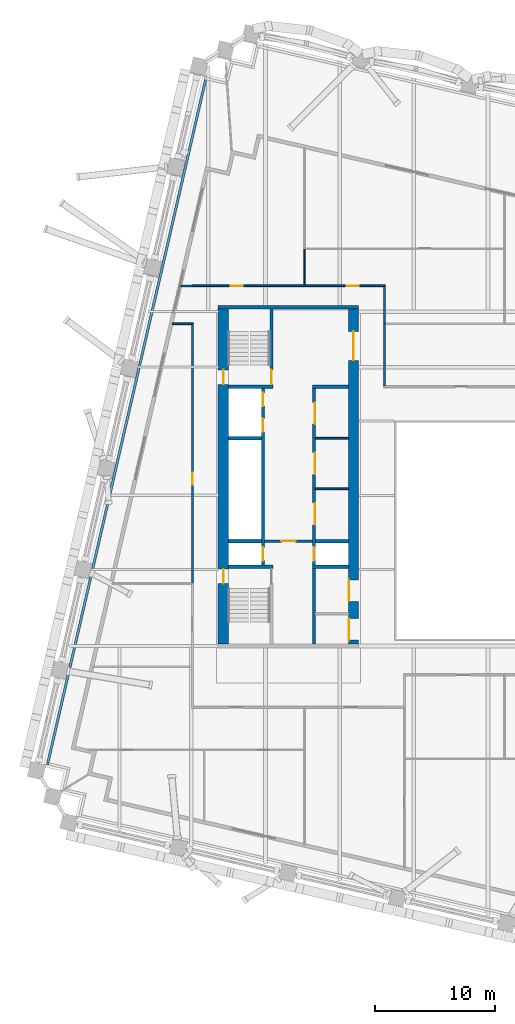
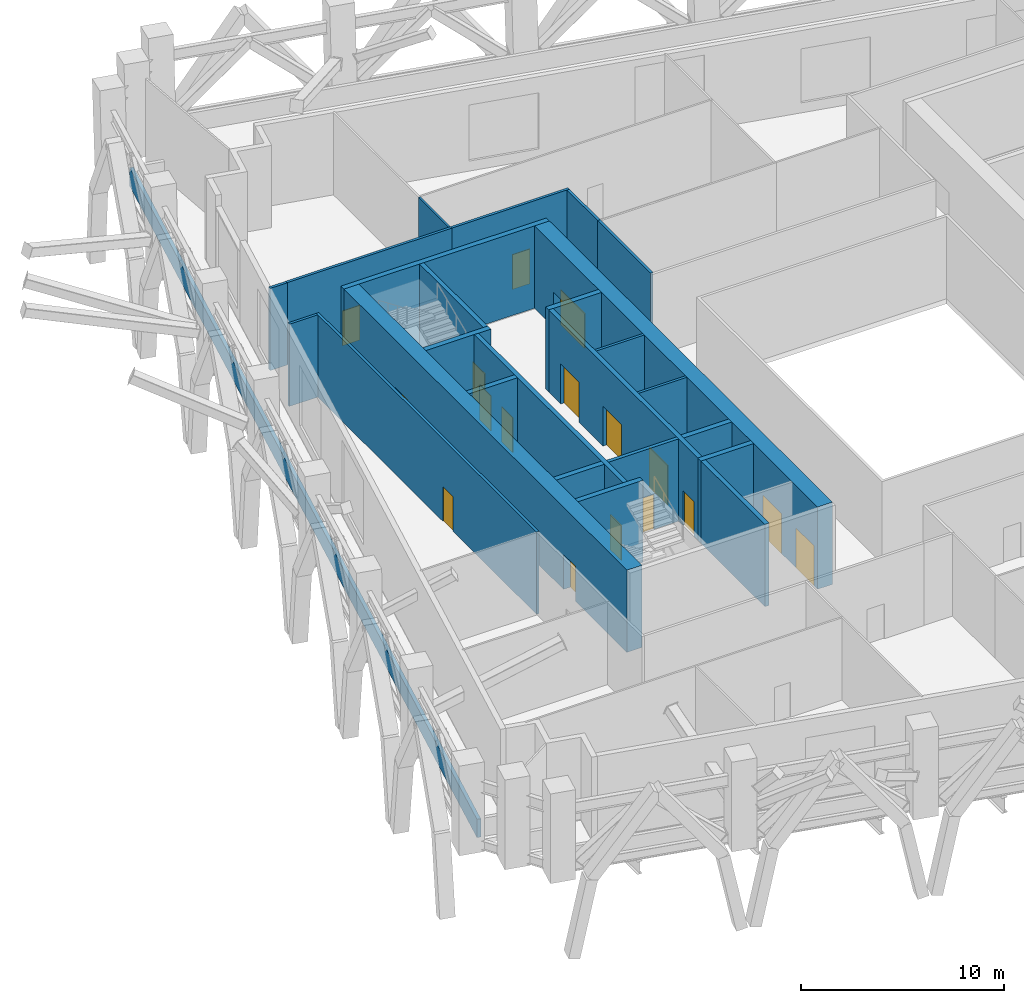
# One storey, part 8 of 20: 25 walls, 17 doors, 17 openings.
"""IFC4 building model written with IfcOpenShell, lengths in metres."""

from ifc_helpers import new_model, si_unit, direction, frame, frame_2d, origin, place, context, subcontext, project, spatial, rectangle, extrude, material, layer, layer_set, type_object, element, fill, save


model = new_model("IFC4")

# Units and contexts
model_context = context("Model", 3, precision=1e-05, world=origin(), true_north=direction((0.0, 1.0)))
body_context = subcontext(model_context, "Body", "Model", "MODEL_VIEW")
ifc_project = project(units=[si_unit("LENGTHUNIT", "METRE"), si_unit("AREAUNIT", "SQUARE_METRE"), si_unit("VOLUMEUNIT", "CUBIC_METRE"), si_unit("PLANEANGLEUNIT", "RADIAN"), si_unit("MASSUNIT", "GRAM", prefix="KILO")], contexts=[model_context])

# Site, building, storey
site_placement = place(None, origin())
site = spatial("IfcSite", under=ifc_project, at=site_placement, CompositionType="ELEMENT")
building_placement = place(site_placement, origin())
building = spatial("IfcBuilding", under=site, at=building_placement, Name="Ogive Exchange Tower", CompositionType="ELEMENT")
storey_placement = place(building_placement, frame((0.0, 0.0, 160.199951171875)))
storey = spatial("IfcBuildingStorey", under=building, at=storey_placement, Name="L35", CompositionType="ELEMENT", Elevation=160.199951171875)

# Walls
ifc_material_1 = material(Name="Gypsum board partition")
ifc_layer_1 = layer(ifc_material_1, 0.14990234375)
ifc_layer_set_1 = layer_set([ifc_layer_1], Name="Core room partition 150 gypsum")
wall_type_1 = type_object("IfcWallType", Name="Core room partition 150 gypsum", PredefinedType="PARTITIONING", material=ifc_layer_set_1)
for number, where, z_axis, x_axis, name in (
    (1, (-13.75, 10.5, 0.0), (0.0, 0.0, 1.0), (1.0, 0.0, 0.0), "W row B bay partition 1-1"),
    (2, (-13.75, 14.699951171875, 0.0), (0.0, 0.0, 1.0), (1.0, 0.0, 0.0), "W row B bay partition 1-2"),
):
    element("IfcWall", number, at=place(storey_placement, frame(where, z_axis=z_axis, x_axis=x_axis)), inside=storey, type_object=wall_type_1, Name=name, PredefinedType="PARTITIONING", context=body_context, shape_type="SweptSolid", body=[
        extrude(rectangle(XDim=2.75, YDim=0.14990234375, at=frame_2d((1.375, 0.0))), origin(), (0.0, 0.0, 1.0), 4.949951171875),
    ])
ifc_layer_2 = layer(ifc_material_1, 0.300048828125)
ifc_layer_set_2 = layer_set([ifc_layer_2], Name="Core room partition 300 gypsum")
wall_type_2 = type_object("IfcWallType", Name="Core room partition 300 gypsum", PredefinedType="PARTITIONING", material=ifc_layer_set_2)
wall_1_placement = place(storey_placement, frame((-14.0, 19.0, 0.0), z_axis=(0.0, 0.0, 1.0), x_axis=(1.0, 0.0, 0.0)))
element("IfcWall", 3, at=wall_1_placement, inside=storey, type_object=wall_type_2, Name="W row B room end wall 7", PredefinedType="PARTITIONING", context=body_context, shape_type="SweptSolid", body=[
    extrude(rectangle(XDim=3.0, YDim=0.300048828125, at=frame_2d((1.5, 0.0))), origin(), (0.0, 0.0, 1.0), 4.949951171875),
])
ifc_material_2 = material(Name="Fire partition EI 60 150")
ifc_layer_3 = layer(ifc_material_2, 0.14990234375)
ifc_layer_set_3 = layer_set([ifc_layer_3], Name="Fire partition EI 60 150")
wall_type_3 = type_object("IfcWallType", Name="Fire partition EI 60 150", PredefinedType="PARTITIONING", material=ifc_layer_set_3)
wall_2_placement = place(storey_placement, frame((-24.970947265625, 27.389892578125, 0.0), z_axis=(0.0, 0.0, 1.0), x_axis=(1.0, 0.0, 0.0)))
element("IfcWall", 4, at=wall_2_placement, inside=storey, type_object=wall_type_3, Name="L35-PWL-001", PredefinedType="PARTITIONING", context=body_context, shape_type="SweptSolid", body=[
    extrude(rectangle(XDim=0.970947265625, YDim=0.14990234375, at=frame_2d((0.4853515625, 0.0))), origin(), (0.0, 0.0, 1.0), 4.949951171875),
])

# Wall, opening, door
wall_3_placement = place(storey_placement, frame((-24.0, 2.610107421875, 0.0), z_axis=(0.0, 0.0, 1.0), x_axis=(0.0, 1.0, 0.0)))
wall_3 = element("IfcWall", 5, at=wall_3_placement, inside=storey, type_object=wall_type_3, Name="L35-PWL-006", PredefinedType="PARTITIONING", context=body_context, shape_type="SweptSolid", body=[
    extrude(rectangle(XDim=21.71484375, YDim=0.14990234375, at=frame_2d((10.857421875, 0.0))), origin(), (0.0, 0.0, 1.0), 4.949951171875),
])
opening_1_placement = place(wall_3_placement, frame((8.239990234375, 0.0, 0.0)))
opening_1 = element("IfcOpeningElement", 6, at=opening_1_placement, cuts=wall_3, Name="Opening L35-I11", PredefinedType="OPENING", context=body_context, shape_type="SweptSolid", body=[
    extrude(rectangle(XDim=1.0, YDim=2.10009765625, at=frame_2d((0.5, 1.050048828125))), frame((0.0, 0.0849609375, 0.0), z_axis=(0.0, -1.0, 0.0), x_axis=(1.0, 0.0, 0.0)), (0.0, 0.0, 1.0), 0.169921875),
])
ifc_material_3 = material(Name="Fire door FD 30S 1000 x 2100")
door_type_1 = type_object("IfcDoorType", Name="Fire door FD 30S 1000 x 2100", OperationType="NOTDEFINED", PredefinedType="DOOR", material=ifc_material_3)
door_1_placement = place(opening_1_placement, origin())
door_1 = element("IfcDoor", 7, at=door_1_placement, inside=storey, type_object=door_type_1, Name="L35-IDR-011", ObjectType="DT3", OperationType="SINGLE_SWING_RIGHT", OverallHeight=2.10009765625, OverallWidth=1.0, PredefinedType="DOOR", context=body_context, shape_type="SweptSolid", body=[
    extrude(rectangle(XDim=1.0, YDim=2.10009765625, at=frame_2d((0.5, 1.050048828125))), frame((0.0, 0.02490234375, 0.0), z_axis=(0.0, -1.0, 0.0), x_axis=(1.0, 0.0, 0.0)), (0.0, 0.0, 1.0), 0.050048828125),
])
fill(opening_1, door_1)

# Wall
wall_4_placement = place(storey_placement, frame((-24.074951171875, 24.25, 0.0), z_axis=(0.0, 0.0, 1.0), x_axis=(-1.0, 0.0, 0.0)))
element("IfcWall", 8, at=wall_4_placement, inside=storey, type_object=wall_type_3, Name="L35-PWL-007", PredefinedType="PARTITIONING", context=body_context, shape_type="SweptSolid", body=[
    extrude(rectangle(XDim=1.62109375, YDim=0.14990234375, at=frame_2d((0.810546875, 0.0))), origin(), (0.0, 0.0, 1.0), 4.949951171875),
])

# Wall, opening, door
wall_5_placement = place(storey_placement, frame((-24.0, 27.39990234375, 0.0), z_axis=(0.0, 0.0, 1.0), x_axis=(1.0, 0.0, 0.0)))
wall_5 = element("IfcWall", 9, at=wall_5_placement, inside=storey, type_object=wall_type_3, Name="L35-PWL-008", PredefinedType="PARTITIONING", context=body_context, shape_type="SweptSolid", body=[
    extrude(rectangle(XDim=9.3798828125, YDim=0.14990234375, at=frame_2d((4.68994140625, 0.0))), origin(), (0.0, 0.0, 1.0), 4.949951171875),
])
opening_2_placement = place(wall_5_placement, frame((3.179931640625, 0.0, 0.0)))
opening_2 = element("IfcOpeningElement", 10, at=opening_2_placement, cuts=wall_5, Name="Opening L35-I10", PredefinedType="OPENING", context=body_context, shape_type="SweptSolid", body=[
    extrude(rectangle(XDim=1.0, YDim=2.10009765625, at=frame_2d((0.5, 1.050048828125))), frame((0.0, 0.0849609375, 0.0), z_axis=(0.0, -1.0, 0.0), x_axis=(1.0, 0.0, 0.0)), (0.0, 0.0, 1.0), 0.169921875),
])
door_2_placement = place(opening_2_placement, origin())
door_2 = element("IfcDoor", 11, at=door_2_placement, inside=storey, type_object=door_type_1, Name="L35-IDR-010", ObjectType="DT3", OperationType="SINGLE_SWING_RIGHT", OverallHeight=2.10009765625, OverallWidth=1.0, PredefinedType="DOOR", context=body_context, shape_type="SweptSolid", body=[
    extrude(rectangle(XDim=1.0, YDim=2.10009765625, at=frame_2d((0.5, 1.050048828125))), frame((0.0, 0.02490234375, 0.0), z_axis=(0.0, -1.0, 0.0), x_axis=(1.0, 0.0, 0.0)), (0.0, 0.0, 1.0), 0.050048828125),
])
fill(opening_2, door_2)

wall_6_placement = place(storey_placement, frame((-14.6201171875, 27.39990234375, 0.0), z_axis=(0.0, 0.0, 1.0), x_axis=(1.0, 0.0, 0.0)))
wall_6 = element("IfcWall", 12, at=wall_6_placement, inside=storey, type_object=wall_type_3, Name="L35-PWL-016", PredefinedType="PARTITIONING", context=body_context, shape_type="SweptSolid", body=[
    extrude(rectangle(XDim=6.695068359375, YDim=0.14990234375, at=frame_2d((3.34765625, 0.0))), origin(), (0.0, 0.0, 1.0), 4.949951171875),
])
opening_3_placement = place(wall_6_placement, frame((3.469970703125, 0.0, 0.0)))
opening_3 = element("IfcOpeningElement", 13, at=opening_3_placement, cuts=wall_6, Name="Opening L35-I08", PredefinedType="OPENING", context=body_context, shape_type="SweptSolid", body=[
    extrude(rectangle(XDim=1.0, YDim=2.10009765625, at=frame_2d((0.5, 1.050048828125))), frame((0.0, 0.0849609375, 0.0), z_axis=(0.0, -1.0, 0.0), x_axis=(1.0, 0.0, 0.0)), (0.0, 0.0, 1.0), 0.169921875),
])
door_3_placement = place(opening_3_placement, origin())
door_3 = element("IfcDoor", 14, at=door_3_placement, inside=storey, type_object=door_type_1, Name="L35-IDR-008", ObjectType="DT3", OperationType="SINGLE_SWING_RIGHT", OverallHeight=2.10009765625, OverallWidth=1.0, PredefinedType="DOOR", context=body_context, shape_type="SweptSolid", body=[
    extrude(rectangle(XDim=1.0, YDim=2.10009765625, at=frame_2d((0.5, 1.050048828125))), frame((0.0, 0.02490234375, 0.0), z_axis=(0.0, -1.0, 0.0), x_axis=(1.0, 0.0, 0.0)), (0.0, 0.0, 1.0), 0.050048828125),
])
fill(opening_3, door_3)

# Walls
wall_7_placement = place(storey_placement, frame((-8.0, 24.300048828125, 0.0), z_axis=(0.0, 0.0, 1.0), x_axis=(0.0, -1.0, 0.0)))
element("IfcWall", 15, at=wall_7_placement, inside=storey, type_object=wall_type_3, Name="L35-PWL-021", PredefinedType="PARTITIONING", context=body_context, shape_type="SweptSolid", body=[
    extrude(rectangle(XDim=5.22509765625, YDim=0.14990234375, at=frame_2d((2.612548828125, 0.0))), origin(), (0.0, 0.0, 1.0), 4.949951171875),
])
wall_8_placement = place(storey_placement, frame((-8.0, 27.324951171875, 0.0), z_axis=(0.0, 0.0, 1.0), x_axis=(0.0, -1.0, 0.0)))
element("IfcWall", 16, at=wall_8_placement, inside=storey, type_object=wall_type_3, Name="L35-PWL-023", PredefinedType="PARTITIONING", context=body_context, shape_type="SweptSolid", body=[
    extrude(rectangle(XDim=3.02490234375, YDim=0.14990234375, at=frame_2d((1.512451171875, 0.0))), origin(), (0.0, 0.0, 1.0), 4.949951171875),
])
ifc_material_4 = material(Name="Partition 100 gypsum")
ifc_layer_4 = layer(ifc_material_4, 0.10009765625)
ifc_layer_set_4 = layer_set([ifc_layer_4], Name="Partition 100 gypsum")
wall_type_4 = type_object("IfcWallType", Name="Partition 100 gypsum", PredefinedType="PARTITIONING", material=ifc_layer_set_4)
wall_9_placement = place(storey_placement, frame((-14.669921875, 27.47509765625, 0.0), z_axis=(0.0, 0.0, 1.0), x_axis=(0.0, 1.0, 0.0)))
element("IfcWall", 17, at=wall_9_placement, inside=storey, type_object=wall_type_4, Name="L35-PWL-015", PredefinedType="PARTITIONING", context=body_context, shape_type="SweptSolid", body=[
    extrude(rectangle(XDim=2.974853515625, YDim=0.10009765625, at=frame_2d((1.4873046875, 0.0))), origin(), (0.0, 0.0, 1.0), 4.949951171875),
])
ifc_material_5 = material(Name="Precast concrete C40/50", Category="concrete")
ifc_layer_5 = layer(ifc_material_5, 0.199951171875)
ifc_layer_set_5 = layer_set([ifc_layer_5], Name="Plant deck parapet 200")
wall_type_5 = type_object("IfcWallType", Name="Plant deck parapet 200", PredefinedType="STANDARD", material=ifc_layer_set_5)
wall_10_placement = place(storey_placement, frame((-22.90380859375, 44.56689453125, -0.050048828125), z_axis=(0.0, 0.0, 1.0), x_axis=(-0.224953271822, -0.974369552837, 0.0)))
element("IfcWall", 18, at=wall_10_placement, inside=storey, type_object=wall_type_5, Name="Plant deck parapet 16", PredefinedType="STANDARD", context=body_context, shape_type="SweptSolid", body=[
    extrude(rectangle(XDim=58.569091796875, YDim=0.199951171875, at=frame_2d((29.28466796875, 0.0))), origin(), (0.0, 0.0, 1.0), 1.10009765625),
])

# Wall, opening, door
ifc_material_6 = material(Name="Concrete C70/85", Category="concrete")
ifc_layer_6 = layer(ifc_material_6, 0.199951171875)
ifc_layer_set_6 = layer_set([ifc_layer_6], Name="RC core wall 200 C70/85")
wall_type_6 = type_object("IfcWallType", Name="RC core wall 200 C70/85", PredefinedType="SHEAR", material=ifc_layer_set_6)
wall_11_placement = place(storey_placement, frame((-18.0, 6.142822265625, 0.0), z_axis=(0.0, 0.0, 1.0), x_axis=(1.0, 0.0, 0.0)))
wall_11 = element("IfcWall", 19, at=wall_11_placement, inside=storey, type_object=wall_type_6, Name="W firefighting lobby wall", PredefinedType="SHEAR", context=body_context, shape_type="SweptSolid", body=[
    extrude(rectangle(XDim=4.0, YDim=0.199951171875, at=frame_2d((2.0, 0.0))), origin(), (0.0, 0.0, 1.0), 4.949951171875),
])
opening_4_placement = place(wall_11_placement, frame((1.39990234375, 0.0, 0.0)))
opening_4 = element("IfcOpeningElement", 20, at=opening_4_placement, cuts=wall_11, Name="Opening L35-C08", PredefinedType="OPENING", context=body_context, shape_type="SweptSolid", body=[
    extrude(rectangle(XDim=1.199951171875, YDim=2.10009765625, at=frame_2d((0.60009765625, 1.050048828125))), frame((0.0, 0.10986328125, 0.0), z_axis=(0.0, -1.0, 0.0), x_axis=(1.0, 0.0, 0.0)), (0.0, 0.0, 1.0), 0.219970703125),
])
ifc_material_7 = material(Name="Steel fire door", Category="steel")
door_type_2 = type_object("IfcDoorType", Name="Firefighting lobby door FD60 1200 x 2100", OperationType="NOTDEFINED", PredefinedType="DOOR", material=ifc_material_7)
door_4_placement = place(opening_4_placement, frame((1.199951171875, 0.0, 0.0), z_axis=(0.0, 0.0, 1.0), x_axis=(-1.0, 0.0, 0.0)))
door_4 = element("IfcDoor", 21, at=door_4_placement, inside=storey, type_object=door_type_2, Name="Firefighting lobby door", ObjectType="CD3", OperationType="SINGLE_SWING_RIGHT", OverallHeight=2.10009765625, OverallWidth=1.199951171875, PredefinedType="DOOR", context=body_context, shape_type="SweptSolid", body=[
    extrude(rectangle(XDim=1.199951171875, YDim=2.10009765625, at=frame_2d((0.60009765625, 1.050048828125))), frame((0.0, 0.02490234375, 0.0), z_axis=(0.0, -1.0, 0.0), x_axis=(1.0, 0.0, 0.0)), (0.0, 0.0, 1.0), 0.050048828125),
])
fill(opening_4, door_4)

ifc_layer_7 = layer(ifc_material_6, 0.25)
ifc_layer_set_7 = layer_set([ifc_layer_7], Name="RC core wall 250 C70/85")
wall_type_7 = type_object("IfcWallType", Name="RC core wall 250 C70/85", PredefinedType="SHEAR", material=ifc_layer_set_7)
wall_12_placement = place(storey_placement, frame((-17.425048828125, 19.14990234375, 0.0), z_axis=(0.0, 0.0, 1.0), x_axis=(0.0, 1.0, 0.0)))
wall_12 = element("IfcWall", 22, at=wall_12_placement, inside=storey, type_object=wall_type_7, Name="W stair N front wall", PredefinedType="SHEAR", context=body_context, shape_type="SweptSolid", body=[
    extrude(rectangle(XDim=6.300048828125, YDim=0.25, at=frame_2d((3.14990234375, 0.0))), origin(), (0.0, 0.0, 1.0), 4.949951171875),
])
opening_5_placement = place(wall_12_placement, frame((0.050048828125, 0.0, 0.0)))
opening_5 = element("IfcOpeningElement", 23, at=opening_5_placement, cuts=wall_12, Name="Opening L35-C12", PredefinedType="OPENING", context=body_context, shape_type="SweptSolid", body=[
    extrude(rectangle(XDim=1.199951171875, YDim=2.10009765625, at=frame_2d((0.60009765625, 1.050048828125))), frame((0.0, 0.135009765625, 0.0), z_axis=(0.0, -1.0, 0.0), x_axis=(1.0, 0.0, 0.0)), (0.0, 0.0, 1.0), 0.27001953125),
])
door_type_3 = type_object("IfcDoorType", Name="Stair door FD90 1200 x 2100", OperationType="NOTDEFINED", PredefinedType="DOOR", material=ifc_material_7)
door_5_placement = place(opening_5_placement, origin())
door_5 = element("IfcDoor", 24, at=door_5_placement, inside=storey, type_object=door_type_3, Name="Stair door", ObjectType="CD5", OperationType="SINGLE_SWING_RIGHT", OverallHeight=2.10009765625, OverallWidth=1.199951171875, PredefinedType="DOOR", context=body_context, shape_type="SweptSolid", body=[
    extrude(rectangle(XDim=1.199951171875, YDim=2.10009765625, at=frame_2d((0.60009765625, 1.050048828125))), frame((0.0, 0.02490234375, 0.0), z_axis=(0.0, -1.0, 0.0), x_axis=(1.0, 0.0, 0.0)), (0.0, 0.0, 1.0), 0.050048828125),
])
fill(opening_5, door_5)

# Wall, openings, doors
wall_13_placement = place(storey_placement, frame((-18.125, 4.14990234375, 0.0), z_axis=(0.0, 0.0, 1.0), x_axis=(0.0, 1.0, 0.0)))
wall_13 = element("IfcWall", 25, at=wall_13_placement, inside=storey, type_object=wall_type_7, Name="W row A front wall", PredefinedType="SHEAR", context=body_context, shape_type="SweptSolid", body=[
    extrude(rectangle(XDim=14.7001953125, YDim=0.25, at=frame_2d((7.35009765625, 0.0))), origin(), (0.0, 0.0, 1.0), 4.949951171875),
])
opening_6_placement = place(wall_13_placement, frame((0.371337890625, 0.0, 0.0)))
opening_6 = element("IfcOpeningElement", 26, at=opening_6_placement, cuts=wall_13, Name="Opening L35-C01", PredefinedType="OPENING", context=body_context, shape_type="SweptSolid", body=[
    extrude(rectangle(XDim=1.10009765625, YDim=2.10009765625, at=frame_2d((0.550048828125, 1.050048828125))), frame((0.0, 0.135009765625, 0.0), z_axis=(0.0, -1.0, 0.0), x_axis=(1.0, 0.0, 0.0)), (0.0, 0.0, 1.0), 0.27001953125),
])
opening_7_placement = place(wall_13_placement, frame((11.085693359375, 0.0, 0.0)))
opening_7 = element("IfcOpeningElement", 27, at=opening_7_placement, cuts=wall_13, Name="Opening L35-C02", PredefinedType="OPENING", context=body_context, shape_type="SweptSolid", body=[
    extrude(rectangle(XDim=1.10009765625, YDim=2.10009765625, at=frame_2d((0.550048828125, 1.050048828125))), frame((0.0, 0.135009765625, 0.0), z_axis=(0.0, -1.0, 0.0), x_axis=(1.0, 0.0, 0.0)), (0.0, 0.0, 1.0), 0.27001953125),
])
opening_8_placement = place(wall_13_placement, frame((13.228515625, 0.0, 0.0)))
opening_8 = element("IfcOpeningElement", 28, at=opening_8_placement, cuts=wall_13, Name="Opening L35-C03", PredefinedType="OPENING", context=body_context, shape_type="SweptSolid", body=[
    extrude(rectangle(XDim=1.10009765625, YDim=2.10009765625, at=frame_2d((0.550048828125, 1.050048828125))), frame((0.0, 0.135009765625, 0.0), z_axis=(0.0, -1.0, 0.0), x_axis=(1.0, 0.0, 0.0)), (0.0, 0.0, 1.0), 0.27001953125),
])
ifc_material_8 = material(Name="Stainless steel", Category="steel")
door_type_4 = type_object("IfcDoorType", Name="Lift landing door FD90 1100 x 2100", OperationType="SLIDING_TO_LEFT", PredefinedType="DOOR", material=ifc_material_8)
door_6_placement = place(opening_6_placement, origin())
door_6 = element("IfcDoor", 29, at=door_6_placement, inside=storey, type_object=door_type_4, Name="Lift landing door FF1", ObjectType="LD", OperationType="SLIDING_TO_LEFT", OverallHeight=2.10009765625, OverallWidth=1.10009765625, PredefinedType="DOOR", context=body_context, shape_type="SweptSolid", body=[
    extrude(rectangle(XDim=1.10009765625, YDim=2.10009765625, at=frame_2d((0.550048828125, 1.050048828125))), frame((0.0, 0.02490234375, 0.0), z_axis=(0.0, -1.0, 0.0), x_axis=(1.0, 0.0, 0.0)), (0.0, 0.0, 1.0), 0.050048828125),
])
fill(opening_6, door_6)
door_7_placement = place(opening_7_placement, origin())
door_7 = element("IfcDoor", 30, at=door_7_placement, inside=storey, type_object=door_type_4, Name="Lift landing door W-SH1", ObjectType="LD", OperationType="SLIDING_TO_LEFT", OverallHeight=2.10009765625, OverallWidth=1.10009765625, PredefinedType="DOOR", context=body_context, shape_type="SweptSolid", body=[
    extrude(rectangle(XDim=1.10009765625, YDim=2.10009765625, at=frame_2d((0.550048828125, 1.050048828125))), frame((0.0, 0.02490234375, 0.0), z_axis=(0.0, -1.0, 0.0), x_axis=(1.0, 0.0, 0.0)), (0.0, 0.0, 1.0), 0.050048828125),
])
fill(opening_7, door_7)
door_8_placement = place(opening_8_placement, origin())
door_8 = element("IfcDoor", 31, at=door_8_placement, inside=storey, type_object=door_type_4, Name="Lift landing door W-SH2", ObjectType="LD", OperationType="SLIDING_TO_LEFT", OverallHeight=2.10009765625, OverallWidth=1.10009765625, PredefinedType="DOOR", context=body_context, shape_type="SweptSolid", body=[
    extrude(rectangle(XDim=1.10009765625, YDim=2.10009765625, at=frame_2d((0.550048828125, 1.050048828125))), frame((0.0, 0.02490234375, 0.0), z_axis=(0.0, -1.0, 0.0), x_axis=(1.0, 0.0, 0.0)), (0.0, 0.0, 1.0), 0.050048828125),
])
fill(opening_8, door_8)

wall_14_placement = place(storey_placement, frame((-13.875, -2.449951171875, 0.0), z_axis=(0.0, 0.0, 1.0), x_axis=(0.0, 1.0, 0.0)))
wall_14 = element("IfcWall", 32, at=wall_14_placement, inside=storey, type_object=wall_type_7, Name="W row B front wall", PredefinedType="SHEAR", context=body_context, shape_type="SweptSolid", body=[
    extrude(rectangle(XDim=21.300048828125, YDim=0.25, at=frame_2d((10.64990234375, 0.0))), origin(), (0.0, 0.0, 1.0), 4.949951171875),
])
opening_9_placement = place(wall_14_placement, frame((9.9462890625, 0.0, 0.0)))
opening_9 = element("IfcOpeningElement", 33, at=opening_9_placement, cuts=wall_14, Name="Opening L35-C04", PredefinedType="OPENING", context=body_context, shape_type="SweptSolid", body=[
    extrude(rectangle(XDim=1.800048828125, YDim=2.39990234375, at=frame_2d((0.89990234375, 1.199951171875))), frame((0.0, 0.135009765625, 0.0), z_axis=(0.0, -1.0, 0.0), x_axis=(1.0, 0.0, 0.0)), (0.0, 0.0, 1.0), 0.27001953125),
])
opening_10_placement = place(wall_14_placement, frame((14.14990234375, 0.0, 0.0)))
opening_10 = element("IfcOpeningElement", 34, at=opening_10_placement, cuts=wall_14, Name="Opening L35-C05", PredefinedType="OPENING", context=body_context, shape_type="SweptSolid", body=[
    extrude(rectangle(XDim=1.800048828125, YDim=2.39990234375, at=frame_2d((0.89990234375, 1.199951171875))), frame((0.0, 0.135009765625, 0.0), z_axis=(0.0, -1.0, 0.0), x_axis=(1.0, 0.0, 0.0)), (0.0, 0.0, 1.0), 0.27001953125),
])
opening_11_placement = place(wall_14_placement, frame((18.324951171875, 0.0, 0.0)))
opening_11 = element("IfcOpeningElement", 35, at=opening_11_placement, cuts=wall_14, Name="Opening L35-C06", PredefinedType="OPENING", context=body_context, shape_type="SweptSolid", body=[
    extrude(rectangle(XDim=1.800048828125, YDim=2.39990234375, at=frame_2d((0.89990234375, 1.199951171875))), frame((0.0, 0.135009765625, 0.0), z_axis=(0.0, -1.0, 0.0), x_axis=(1.0, 0.0, 0.0)), (0.0, 0.0, 1.0), 0.27001953125),
])
opening_12_placement = place(wall_14_placement, frame((6.971435546875, 0.0, 0.0)))
opening_12 = element("IfcOpeningElement", 36, at=opening_12_placement, cuts=wall_14, Name="Opening L35-C07", PredefinedType="OPENING", context=body_context, shape_type="SweptSolid", body=[
    extrude(rectangle(XDim=1.10009765625, YDim=2.10009765625, at=frame_2d((0.550048828125, 1.050048828125))), frame((0.0, 0.135009765625, 0.0), z_axis=(0.0, -1.0, 0.0), x_axis=(1.0, 0.0, 0.0)), (0.0, 0.0, 1.0), 0.27001953125),
])
door_9_placement = place(opening_12_placement, origin())
door_9 = element("IfcDoor", 37, at=door_9_placement, inside=storey, type_object=door_type_4, Name="Lift landing door SV1", ObjectType="LD", OperationType="SLIDING_TO_LEFT", OverallHeight=2.10009765625, OverallWidth=1.10009765625, PredefinedType="DOOR", context=body_context, shape_type="SweptSolid", body=[
    extrude(rectangle(XDim=1.10009765625, YDim=2.10009765625, at=frame_2d((0.550048828125, 1.050048828125))), frame((0.0, 0.02490234375, 0.0), z_axis=(0.0, -1.0, 0.0), x_axis=(1.0, 0.0, 0.0)), (0.0, 0.0, 1.0), 0.050048828125),
])
fill(opening_12, door_9)
door_type_5 = type_object("IfcDoorType", Name="Plant room door FD60 1800 x 2400", OperationType="DOUBLE_DOOR_SINGLE_SWING", PredefinedType="DOOR", material=ifc_material_7)
door_10_placement = place(opening_9_placement, frame((1.800048828125, -0.2001953125, 0.0), z_axis=(0.0, 0.0, 1.0), x_axis=(-1.0, 0.0, 0.0)))
door_10 = element("IfcDoor", 38, at=door_10_placement, inside=storey, type_object=door_type_5, Name="Plant room door", ObjectType="CD1", OperationType="DOUBLE_DOOR_SINGLE_SWING", OverallHeight=2.39990234375, OverallWidth=1.800048828125, PredefinedType="DOOR", context=body_context, shape_type="SweptSolid", body=[
    extrude(rectangle(XDim=1.800048828125, YDim=2.39990234375, at=frame_2d((0.89990234375, 1.199951171875))), frame((0.0, -0.0751953125, 0.0), z_axis=(0.0, -1.0, 0.0), x_axis=(1.0, 0.0, 0.0)), (0.0, 0.0, 1.0), 0.050048828125),
])
fill(opening_9, door_10)
door_11_placement = place(opening_10_placement, frame((1.800048828125, -0.2001953125, 0.0), z_axis=(0.0, 0.0, 1.0), x_axis=(-1.0, 0.0, 0.0)))
door_11 = element("IfcDoor", 39, at=door_11_placement, inside=storey, type_object=door_type_5, Name="Plant room door", ObjectType="CD1", OperationType="DOUBLE_DOOR_SINGLE_SWING", OverallHeight=2.39990234375, OverallWidth=1.800048828125, PredefinedType="DOOR", context=body_context, shape_type="SweptSolid", body=[
    extrude(rectangle(XDim=1.800048828125, YDim=2.39990234375, at=frame_2d((0.89990234375, 1.199951171875))), frame((0.0, -0.0751953125, 0.0), z_axis=(0.0, -1.0, 0.0), x_axis=(1.0, 0.0, 0.0)), (0.0, 0.0, 1.0), 0.050048828125),
])
fill(opening_10, door_11)
door_12_placement = place(opening_11_placement, frame((1.800048828125, -0.2001953125, 0.0), z_axis=(0.0, 0.0, 1.0), x_axis=(-1.0, 0.0, 0.0)))
door_12 = element("IfcDoor", 40, at=door_12_placement, inside=storey, type_object=door_type_5, Name="Plant room door", ObjectType="CD1", OperationType="DOUBLE_DOOR_SINGLE_SWING", OverallHeight=2.39990234375, OverallWidth=1.800048828125, PredefinedType="DOOR", context=body_context, shape_type="SweptSolid", body=[
    extrude(rectangle(XDim=1.800048828125, YDim=2.39990234375, at=frame_2d((0.89990234375, 1.199951171875))), frame((0.0, -0.0751953125, 0.0), z_axis=(0.0, -1.0, 0.0), x_axis=(1.0, 0.0, 0.0)), (0.0, 0.0, 1.0), 0.050048828125),
])
fill(opening_11, door_12)

# Walls
ifc_layer_8 = layer(ifc_material_6, 0.300048828125)
ifc_layer_set_8 = layer_set([ifc_layer_8], Name="RC core wall 300 C70/85")
wall_type_8 = type_object("IfcWallType", Name="RC core wall 300 C70/85", PredefinedType="SHEAR", material=ifc_layer_set_8)
wall_15_placement = place(storey_placement, frame((-21.85009765625, 25.60009765625, 0.0), z_axis=(0.0, 0.0, 1.0), x_axis=(1.0, 0.0, 0.0)))
element("IfcWall", 41, at=wall_15_placement, inside=storey, type_object=wall_type_8, Name="W north end wall", PredefinedType="SHEAR", context=body_context, shape_type="SweptSolid", body=[
    extrude(rectangle(XDim=11.7001953125, YDim=0.300048828125, at=frame_2d((5.85009765625, 0.0))), origin(), (0.0, 0.0, 1.0), 4.949951171875),
])
for number, where, z_axis, x_axis, name in (
    (42, (-21.0, 4.0, 0.0), (0.0, 0.0, 1.0), (1.0, 0.0, 0.0), "W stair S north wall"),
    (43, (-21.0, 19.0, 0.0), (0.0, 0.0, 1.0), (1.0, 0.0, 0.0), "W stair N south wall"),
):
    element("IfcWall", number, at=place(storey_placement, frame(where, z_axis=z_axis, x_axis=x_axis)), inside=storey, type_object=wall_type_8, Name=name, PredefinedType="SHEAR", context=body_context, shape_type="SweptSolid", body=[
        extrude(rectangle(XDim=3.699951171875, YDim=0.300048828125, at=frame_2d((1.85009765625, 0.0))), origin(), (0.0, 0.0, 1.0), 4.949951171875),
    ])
for number, where, z_axis, x_axis, name in (
    (44, (-21.0, 6.142822265625, 0.0), (0.0, 0.0, 1.0), (1.0, 0.0, 0.0), "W row A divider 1"),
    (45, (-21.0, 14.71435546875, 0.0), (0.0, 0.0, 1.0), (1.0, 0.0, 0.0), "W row A divider 5"),
):
    element("IfcWall", number, at=place(storey_placement, frame(where, z_axis=z_axis, x_axis=x_axis)), inside=storey, type_object=wall_type_8, Name=name, PredefinedType="SHEAR", context=body_context, shape_type="SweptSolid", body=[
        extrude(rectangle(XDim=2.75, YDim=0.300048828125, at=frame_2d((1.375, 0.0))), origin(), (0.0, 0.0, 1.0), 4.949951171875),
    ])
wall_16_placement = place(storey_placement, frame((-14.0, 4.0, 0.0), z_axis=(0.0, 0.0, 1.0), x_axis=(1.0, 0.0, 0.0)))
element("IfcWall", 46, at=wall_16_placement, inside=storey, type_object=wall_type_8, Name="W row B divider 0", PredefinedType="SHEAR", context=body_context, shape_type="SweptSolid", body=[
    extrude(rectangle(XDim=3.0, YDim=0.300048828125, at=frame_2d((1.5, 0.0))), origin(), (0.0, 0.0, 1.0), 4.949951171875),
])
wall_17_placement = place(storey_placement, frame((-13.75, 6.142822265625, 0.0), z_axis=(0.0, 0.0, 1.0), x_axis=(1.0, 0.0, 0.0)))
element("IfcWall", 47, at=wall_17_placement, inside=storey, type_object=wall_type_8, Name="W row B divider 1", PredefinedType="SHEAR", context=body_context, shape_type="SweptSolid", body=[
    extrude(rectangle(XDim=2.75, YDim=0.300048828125, at=frame_2d((1.375, 0.0))), origin(), (0.0, 0.0, 1.0), 4.949951171875),
])

# Wall, openings, doors
ifc_layer_9 = layer(ifc_material_6, 0.85009765625)
ifc_layer_set_9 = layer_set([ifc_layer_9], Name="RC core wall 850 C70/85")
wall_type_9 = type_object("IfcWallType", Name="RC core wall 850 C70/85", PredefinedType="SHEAR", material=ifc_layer_set_9)
wall_18_placement = place(storey_placement, frame((-21.425048828125, -2.449951171875, 0.0), z_axis=(0.0, 0.0, 1.0), x_axis=(0.0, 1.0, 0.0)))
wall_18 = element("IfcWall", 48, at=wall_18_placement, inside=storey, type_object=wall_type_9, Name="W outer wall", PredefinedType="SHEAR", context=body_context, shape_type="SweptSolid", body=[
    extrude(rectangle(XDim=27.89990234375, YDim=0.85009765625, at=frame_2d((13.949951171875, 0.0))), origin(), (0.0, 0.0, 1.0), 4.949951171875),
])
opening_13_placement = place(wall_18_placement, frame((5.050048828125, 0.0, 0.0)))
opening_13 = element("IfcOpeningElement", 49, at=opening_13_placement, cuts=wall_18, Name="Opening L35-C11", PredefinedType="OPENING", context=body_context, shape_type="SweptSolid", body=[
    extrude(rectangle(XDim=1.199951171875, YDim=2.10009765625, at=frame_2d((0.60009765625, 1.050048828125))), frame((0.0, 0.43505859375, 0.0), z_axis=(0.0, -1.0, 0.0), x_axis=(1.0, 0.0, 0.0)), (0.0, 0.0, 1.0), 0.8701171875),
])
opening_14_placement = place(wall_18_placement, frame((21.64990234375, 0.0, 0.0)))
opening_14 = element("IfcOpeningElement", 50, at=opening_14_placement, cuts=wall_18, Name="Opening L35-C13", PredefinedType="OPENING", context=body_context, shape_type="SweptSolid", body=[
    extrude(rectangle(XDim=1.199951171875, YDim=2.10009765625, at=frame_2d((0.60009765625, 1.050048828125))), frame((0.0, 0.43505859375, 0.0), z_axis=(0.0, -1.0, 0.0), x_axis=(1.0, 0.0, 0.0)), (0.0, 0.0, 1.0), 0.8701171875),
])
door_13_placement = place(opening_13_placement, frame((1.199951171875, 0.0, 0.0), z_axis=(0.0, 0.0, 1.0), x_axis=(-1.0, 0.0, 0.0)))
door_13 = element("IfcDoor", 51, at=door_13_placement, inside=storey, type_object=door_type_3, Name="Stair door", ObjectType="CD5", OperationType="SINGLE_SWING_RIGHT", OverallHeight=2.10009765625, OverallWidth=1.199951171875, PredefinedType="DOOR", context=body_context, shape_type="SweptSolid", body=[
    extrude(rectangle(XDim=1.199951171875, YDim=2.10009765625, at=frame_2d((0.60009765625, 1.050048828125))), frame((0.0, 0.02490234375, 0.0), z_axis=(0.0, -1.0, 0.0), x_axis=(1.0, 0.0, 0.0)), (0.0, 0.0, 1.0), 0.050048828125),
])
fill(opening_13, door_13)
door_14_placement = place(opening_14_placement, frame((1.199951171875, 0.0, 0.0), z_axis=(0.0, 0.0, 1.0), x_axis=(-1.0, 0.0, 0.0)))
door_14 = element("IfcDoor", 52, at=door_14_placement, inside=storey, type_object=door_type_3, Name="Stair door", ObjectType="CD5", OperationType="SINGLE_SWING_LEFT", OverallHeight=2.10009765625, OverallWidth=1.199951171875, PredefinedType="DOOR", context=body_context, shape_type="SweptSolid", body=[
    extrude(rectangle(XDim=1.199951171875, YDim=2.10009765625, at=frame_2d((0.60009765625, 1.050048828125))), frame((0.0, 0.02490234375, 0.0), z_axis=(0.0, -1.0, 0.0), x_axis=(1.0, 0.0, 0.0)), (0.0, 0.0, 1.0), 0.050048828125),
])
fill(opening_14, door_14)

wall_19_placement = place(storey_placement, frame((-10.574951171875, -2.449951171875, 0.0), z_axis=(0.0, 0.0, 1.0), x_axis=(0.0, 1.0, 0.0)))
wall_19 = element("IfcWall", 53, at=wall_19_placement, inside=storey, type_object=wall_type_9, Name="W inner wall", PredefinedType="SHEAR", context=body_context, shape_type="SweptSolid", body=[
    extrude(rectangle(XDim=27.89990234375, YDim=0.85009765625, at=frame_2d((13.949951171875, 0.0))), origin(), (0.0, 0.0, 1.0), 4.949951171875),
])
opening_15_placement = place(wall_19_placement, frame((23.64990234375, 0.0, 0.0)))
opening_15 = element("IfcOpeningElement", 54, at=opening_15_placement, cuts=wall_19, Name="Opening L35-C09", PredefinedType="OPENING", context=body_context, shape_type="SweptSolid", body=[
    extrude(rectangle(XDim=2.39990234375, YDim=2.10009765625, at=frame_2d((1.199951171875, 1.050048828125))), frame((0.0, 0.43505859375, 0.0), z_axis=(0.0, -1.0, 0.0), x_axis=(1.0, 0.0, 0.0)), (0.0, 0.0, 1.0), 0.8701171875),
])
opening_16_placement = place(wall_19_placement, frame((0.33740234375, 0.0, 0.0)))
opening_16 = element("IfcOpeningElement", 55, at=opening_16_placement, cuts=wall_19, Name="Opening L35-C14", PredefinedType="OPENING", context=body_context, shape_type="SweptSolid", body=[
    extrude(rectangle(XDim=1.800048828125, YDim=2.39990234375, at=frame_2d((0.89990234375, 1.199951171875))), frame((0.0, 0.43505859375, 0.0), z_axis=(0.0, -1.0, 0.0), x_axis=(1.0, 0.0, 0.0)), (0.0, 0.0, 1.0), 0.8701171875),
])
opening_17_placement = place(wall_19_placement, frame((3.5625, 0.0, 0.0)))
opening_17 = element("IfcOpeningElement", 56, at=opening_17_placement, cuts=wall_19, Name="Opening L35-C15", PredefinedType="OPENING", context=body_context, shape_type="SweptSolid", body=[
    extrude(rectangle(XDim=1.800048828125, YDim=2.39990234375, at=frame_2d((0.89990234375, 1.199951171875))), frame((0.0, 0.43505859375, 0.0), z_axis=(0.0, -1.0, 0.0), x_axis=(1.0, 0.0, 0.0)), (0.0, 0.0, 1.0), 0.8701171875),
])
ifc_material_9 = material(Name="Glazed steel fire door", Category="steel")
door_type_6 = type_object("IfcDoorType", Name="Lift lobby double door FD60 2400 x 2100", OperationType="DOUBLE_DOOR_SINGLE_SWING", PredefinedType="DOOR", material=ifc_material_9)
door_15_placement = place(opening_15_placement, origin())
door_15 = element("IfcDoor", 57, at=door_15_placement, inside=storey, type_object=door_type_6, Name="Lift lobby double door", ObjectType="CD4", OperationType="DOUBLE_DOOR_SINGLE_SWING", OverallHeight=2.10009765625, OverallWidth=2.39990234375, PredefinedType="DOOR", context=body_context, shape_type="SweptSolid", body=[
    extrude(rectangle(XDim=2.39990234375, YDim=2.10009765625, at=frame_2d((1.199951171875, 1.050048828125))), frame((0.0, 0.02490234375, 0.0), z_axis=(0.0, -1.0, 0.0), x_axis=(1.0, 0.0, 0.0)), (0.0, 0.0, 1.0), 0.050048828125),
])
fill(opening_15, door_15)
door_16_placement = place(opening_16_placement, origin())
door_16 = element("IfcDoor", 58, at=door_16_placement, inside=storey, type_object=door_type_5, Name="Plant room door", ObjectType="CD1", OperationType="DOUBLE_DOOR_SINGLE_SWING", OverallHeight=2.39990234375, OverallWidth=1.800048828125, PredefinedType="DOOR", context=body_context, shape_type="SweptSolid", body=[
    extrude(rectangle(XDim=1.800048828125, YDim=2.39990234375, at=frame_2d((0.89990234375, 1.199951171875))), frame((0.0, 0.4248046875, 0.0), z_axis=(0.0, -1.0, 0.0), x_axis=(1.0, 0.0, 0.0)), (0.0, 0.0, 1.0), 0.050048828125),
])
fill(opening_16, door_16)
door_17_placement = place(opening_17_placement, origin())
door_17 = element("IfcDoor", 59, at=door_17_placement, inside=storey, type_object=door_type_5, Name="Plant room door", ObjectType="CD1", OperationType="DOUBLE_DOOR_SINGLE_SWING", OverallHeight=2.39990234375, OverallWidth=1.800048828125, PredefinedType="DOOR", context=body_context, shape_type="SweptSolid", body=[
    extrude(rectangle(XDim=1.800048828125, YDim=2.39990234375, at=frame_2d((0.89990234375, 1.199951171875))), frame((0.0, 0.4248046875, 0.0), z_axis=(0.0, -1.0, 0.0), x_axis=(1.0, 0.0, 0.0)), (0.0, 0.0, 1.0), 0.050048828125),
])
fill(opening_17, door_17)

save(model, "model.ifc")
